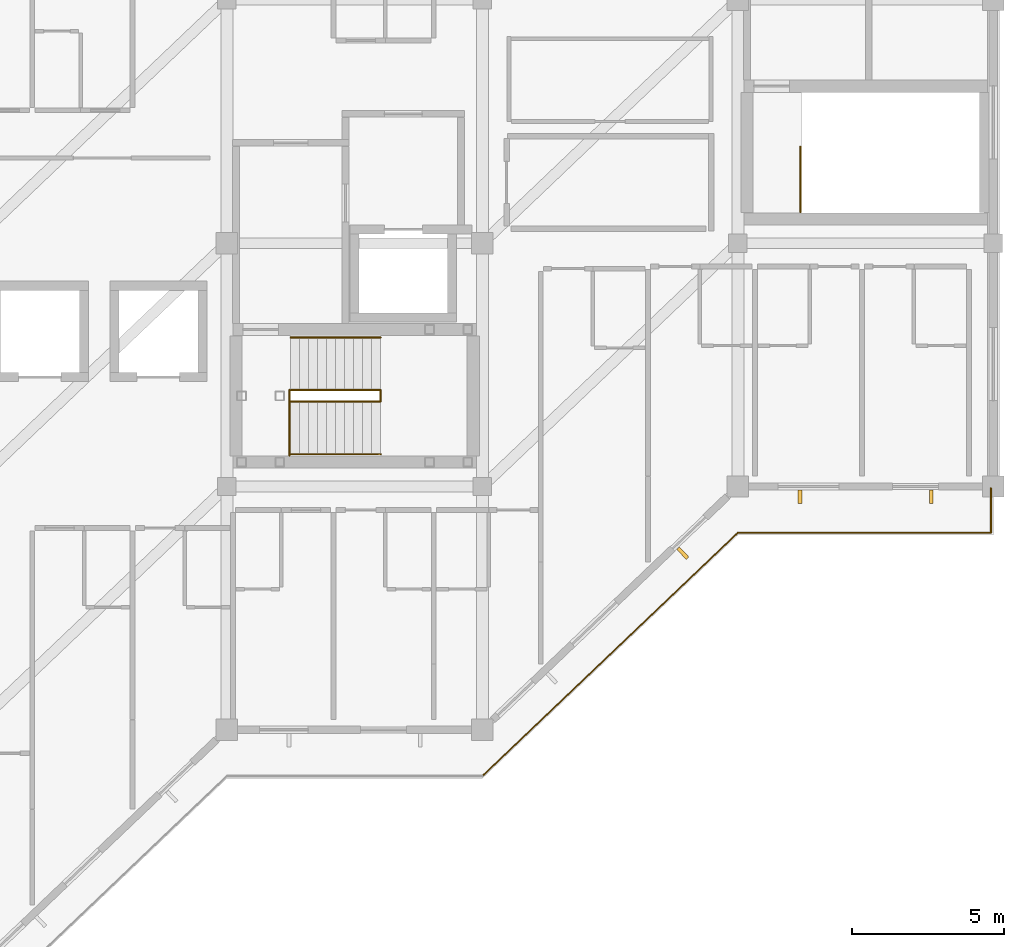
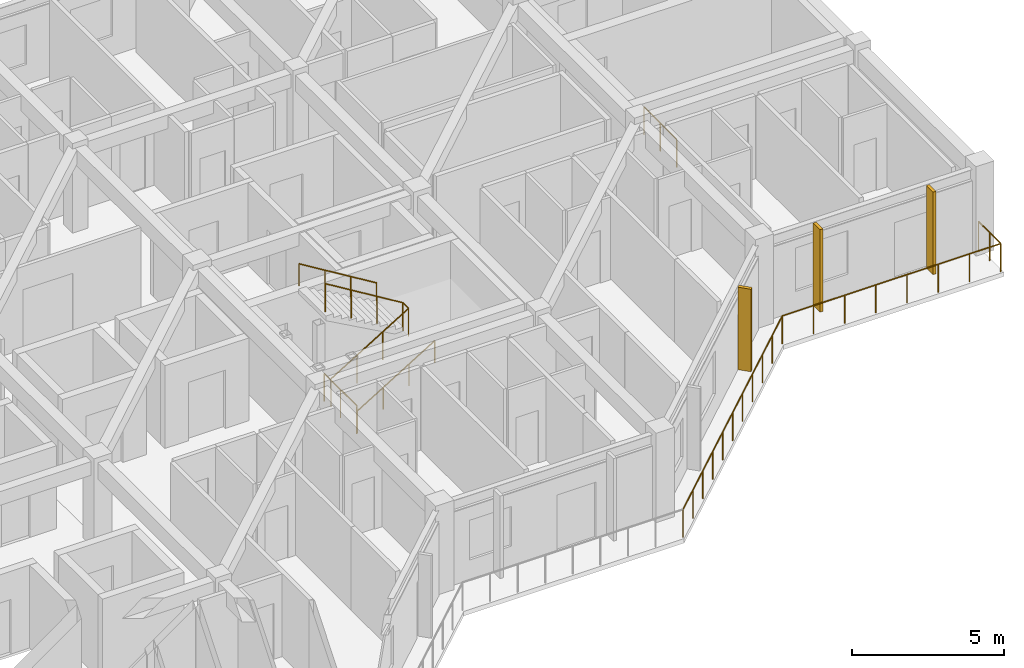
# One storey, part 15 of 15: 10 railings, 3 shading devices.
"""IFC4 building model written with IfcOpenShell, lengths in metres."""

from ifc_helpers import new_model, si_unit, direction, frame, origin, origin_2d, place, context, subcontext, project, spatial, rectangle, circle, extrude, material, layer, layer_set, type_object, element, save


model = new_model("IFC4")

# Units and contexts
model_context = context("Model", 3, precision=1e-05, world=origin(), true_north=direction((0.0, 1.0)))
body_context = subcontext(model_context, "Body", "Model", "MODEL_VIEW")
ifc_project = project(units=[si_unit("LENGTHUNIT", "METRE"), si_unit("AREAUNIT", "SQUARE_METRE"), si_unit("VOLUMEUNIT", "CUBIC_METRE"), si_unit("PLANEANGLEUNIT", "RADIAN"), si_unit("MASSUNIT", "GRAM", prefix="KILO")], contexts=[model_context])

# Site, building, storey
site_placement = place(None, origin())
site = spatial("IfcSite", under=ifc_project, at=site_placement, CompositionType="ELEMENT")
building_placement = place(site_placement, origin())
building = spatial("IfcBuilding", under=site, at=building_placement, Name="Naruveol Harbour Congress Hotel", CompositionType="ELEMENT")
storey_placement = place(building_placement, frame((0.0, 0.0, 32.39990234375)))
storey = spatial("IfcBuildingStorey", under=building, at=storey_placement, Name="L07", CompositionType="ELEMENT", Elevation=32.39990234375)

# Railings
ifc_material_1 = material(Name="Tempered Laminated Safety Glass & Stainless Steel", Category="steel")
ifc_layer_1 = layer(ifc_material_1, 0.06005859375)
ifc_layer_set_1 = layer_set([ifc_layer_1], Name="Tempered Laminated Safety Glass & Stainless Steel")
railing_type_1 = type_object("IfcRailingType", Name="LAMINATED GLASS TERRACE BALUSTRADE 1150", PredefinedType="BALUSTRADE", material=ifc_layer_set_1)
railing_1_placement = place(storey_placement, frame((159.60009765625, 6.47998046875, 0.0)))
element("IfcRailing", 1, at=railing_1_placement, inside=storey, type_object=railing_type_1, Name="L07 Harbour balcony balustrade #106", PredefinedType="BALUSTRADE", context=body_context, shape_type="SweptSolid", body=[
    extrude(circle(Radius=0.02392578125, at=origin_2d()), frame((0.0, 0.0, 1.1259765625), z_axis=(0.724133926887, 0.689659376744, 0.0), x_axis=(-0.689659376744, 0.724133926887, 0.0)), (0.0, 0.0, 1.0), 11.599853515625),
    extrude(circle(Radius=0.02099609375, at=origin_2d()), origin(), (0.0, 0.0, 1.0), 1.101806640625),
    extrude(circle(Radius=0.02099609375, at=origin_2d()), frame((0.840087890625, 0.800048828125, 0.0)), (0.0, 0.0, 1.0), 1.101806640625),
    extrude(circle(Radius=0.02099609375, at=origin_2d()), frame((1.679931640625, 1.60009765625, 0.0)), (0.0, 0.0, 1.0), 1.101806640625),
    extrude(circle(Radius=0.02099609375, at=origin_2d()), frame((2.52001953125, 2.39990234375, 0.0)), (0.0, 0.0, 1.0), 1.101806640625),
    extrude(circle(Radius=0.02099609375, at=origin_2d()), frame((3.35986328125, 3.199951171875, 0.0)), (0.0, 0.0, 1.0), 1.101806640625),
    extrude(circle(Radius=0.02099609375, at=origin_2d()), frame((4.199951171875, 4.0, 0.0)), (0.0, 0.0, 1.0), 1.101806640625),
    extrude(circle(Radius=0.02099609375, at=origin_2d()), frame((5.0400390625, 4.800048828125, 0.0)), (0.0, 0.0, 1.0), 1.101806640625),
    extrude(circle(Radius=0.02099609375, at=origin_2d()), frame((5.8798828125, 5.60009765625, 0.0)), (0.0, 0.0, 1.0), 1.101806640625),
    extrude(circle(Radius=0.02099609375, at=origin_2d()), frame((6.719970703125, 6.39990234375, 0.0)), (0.0, 0.0, 1.0), 1.101806640625),
    extrude(circle(Radius=0.02099609375, at=origin_2d()), frame((7.559814453125, 7.199951171875, 0.0)), (0.0, 0.0, 1.0), 1.101806640625),
    extrude(circle(Radius=0.02099609375, at=origin_2d()), frame((8.39990234375, 8.0, 0.0)), (0.0, 0.0, 1.0), 1.101806640625),
])
railing_2_placement = place(storey_placement, frame((168.0, 14.47998046875, 0.0)))
element("IfcRailing", 2, at=railing_2_placement, inside=storey, type_object=railing_type_1, Name="L07 Harbour balcony balustrade #107", PredefinedType="BALUSTRADE", context=body_context, shape_type="SweptSolid", body=[
    extrude(circle(Radius=0.02392578125, at=origin_2d()), frame((0.0, 0.0, 1.1259765625), z_axis=(1.0, 0.0, 0.0), x_axis=(0.0, 1.0, 0.0)), (0.0, 0.0, 1.0), 8.320068359375),
    extrude(circle(Radius=0.02099609375, at=origin_2d()), origin(), (0.0, 0.0, 1.0), 1.101806640625),
    extrude(circle(Radius=0.02099609375, at=origin_2d()), frame((1.1884765625, 0.0, 0.0)), (0.0, 0.0, 1.0), 1.101806640625),
    extrude(circle(Radius=0.02099609375, at=origin_2d()), frame((2.377197265625, 0.0, 0.0)), (0.0, 0.0, 1.0), 1.101806640625),
    extrude(circle(Radius=0.02099609375, at=origin_2d()), frame((3.565673828125, 0.0, 0.0)), (0.0, 0.0, 1.0), 1.101806640625),
    extrude(circle(Radius=0.02099609375, at=origin_2d()), frame((4.75439453125, 0.0, 0.0)), (0.0, 0.0, 1.0), 1.101806640625),
    extrude(circle(Radius=0.02099609375, at=origin_2d()), frame((5.94287109375, 0.0, 0.0)), (0.0, 0.0, 1.0), 1.101806640625),
    extrude(circle(Radius=0.02099609375, at=origin_2d()), frame((7.131591796875, 0.0, 0.0)), (0.0, 0.0, 1.0), 1.101806640625),
    extrude(circle(Radius=0.02099609375, at=origin_2d()), frame((8.320068359375, 0.0, 0.0)), (0.0, 0.0, 1.0), 1.101806640625),
])
railing_3_placement = place(storey_placement, frame((176.320068359375, 14.47998046875, 0.0)))
element("IfcRailing", 3, at=railing_3_placement, inside=storey, type_object=railing_type_1, Name="L07 Harbour balcony balustrade #108", PredefinedType="BALUSTRADE", context=body_context, shape_type="SweptSolid", body=[
    extrude(circle(Radius=0.02392578125, at=origin_2d()), frame((0.0, 0.0, 1.1259765625), z_axis=(0.0, 1.0, 0.0), x_axis=(-1.0, 0.0, 0.0)), (0.0, 0.0, 1.0), 1.4599609375),
    extrude(circle(Radius=0.02099609375, at=origin_2d()), origin(), (0.0, 0.0, 1.0), 1.101806640625),
    extrude(circle(Radius=0.02099609375, at=origin_2d()), frame((0.0, 0.72998046875, 0.0)), (0.0, 0.0, 1.0), 1.101806640625),
    extrude(circle(Radius=0.02099609375, at=origin_2d()), frame((0.0, 1.4599609375, 0.0)), (0.0, 0.0, 1.0), 1.101806640625),
])

# Shading devices
ifc_material_2 = material(Name="Precast concrete C40/50", Category="concrete")
shading_device_type = type_object("IfcShadingDeviceType", Name="PRECAST VERTICAL BRISE SOLEIL FIN 120X450", PredefinedType="JALOUSIE", material=ifc_material_2)
for number, where, z_axis, x_axis, name in (
    (4, (166.18994140625, 13.806884765625, 0.0), (0.0, 0.0, 1.0), (-0.724171861437, -0.689619543736, 0.0), "Precast brise-soleil fin BS-V450 #72"),
    (5, (174.35595703125, 15.659912109375, 0.0), (0.0, 0.0, 1.0), (-1.0, 0.0, 0.0), "Precast brise-soleil fin BS-V450 #74"),
    (6, (170.0439453125, 15.659912109375, 0.0), (0.0, 0.0, 1.0), (-1.0, 0.0, 0.0), "Precast brise-soleil fin BS-V450 #75"),
):
    element("IfcShadingDevice", number, at=place(storey_placement, frame(where, z_axis=z_axis, x_axis=x_axis)), inside=storey, type_object=shading_device_type, Name=name, PredefinedType="JALOUSIE", context=body_context, shape_type="SweptSolid", body=[
        extrude(rectangle(XDim=0.1201171875, YDim=0.449951171875, at=origin_2d()), origin(), (0.0, 0.0, 1.0), 3.320068359375),
    ])

# Railings
ifc_material_3 = material(Name="Stainless Steel 304", Category="steel")
ifc_layer_2 = layer(ifc_material_3, 0.0419921875)
ifc_layer_set_2 = layer_set([ifc_layer_2], Name="Stainless Steel 304")
railing_type_2 = type_object("IfcRailingType", Name="STAIR WALL MOUNTED HANDRAIL 900", PredefinedType="HANDRAIL", material=ifc_layer_set_2)
railing_4_placement = place(storey_placement, frame((153.300048828125, 17.06005859375, 0.0)))
element("IfcRailing", 7, at=railing_4_placement, inside=storey, type_object=railing_type_2, Name="Stair ST2 L07 lower wall handrail", PredefinedType="HANDRAIL", context=body_context, shape_type="SweptSolid", body=[
    extrude(circle(Radius=0.02392578125, at=origin_2d()), frame((0.0, 0.0, 0.8759765625), z_axis=(0.85362916449, 0.0, 0.520881224016), x_axis=(0.0, 1.0, 0.0)), (0.0, 0.0, 1.0), 3.455810546875),
    extrude(circle(Radius=0.02099609375, at=origin_2d()), origin(), (0.0, 0.0, 1.0), 0.851806640625),
    extrude(circle(Radius=0.02099609375, at=origin_2d()), frame((0.9833984375, 0.0, 0.60009765625)), (0.0, 0.0, 1.0), 0.851806640625),
    extrude(circle(Radius=0.02099609375, at=origin_2d()), frame((1.966552734375, 0.0, 1.199951171875)), (0.0, 0.0, 1.0), 0.851806640625),
    extrude(circle(Radius=0.02099609375, at=origin_2d()), frame((2.949951171875, 0.0, 1.800048828125)), (0.0, 0.0, 1.0), 0.851806640625),
])
railing_5_placement = place(storey_placement, frame((156.25, 20.89990234375, 1.800048828125)))
element("IfcRailing", 8, at=railing_5_placement, inside=storey, type_object=railing_type_2, Name="Stair ST2 L07 upper wall handrail", PredefinedType="HANDRAIL", context=body_context, shape_type="SweptSolid", body=[
    extrude(circle(Radius=0.02392578125, at=origin_2d()), frame((0.0, 0.0, 0.8759765625), z_axis=(-0.85362916449, 0.0, 0.520881224016), x_axis=(0.0, -1.0, 0.0)), (0.0, 0.0, 1.0), 3.455810546875),
    extrude(circle(Radius=0.02099609375, at=origin_2d()), origin(), (0.0, 0.0, 1.0), 0.851806640625),
    extrude(circle(Radius=0.02099609375, at=origin_2d()), frame((-0.9833984375, 0.0, 0.60009765625)), (0.0, 0.0, 1.0), 0.851806640625),
    extrude(circle(Radius=0.02099609375, at=origin_2d()), frame((-1.966552734375, 0.0, 1.199951171875)), (0.0, 0.0, 1.0), 0.851806640625),
    extrude(circle(Radius=0.02099609375, at=origin_2d()), frame((-2.949951171875, 0.0, 1.800048828125)), (0.0, 0.0, 1.0), 0.851806640625),
])
ifc_material_4 = material(Name="Steel SN490", Category="steel")
ifc_layer_3 = layer(ifc_material_4, 0.044921875)
ifc_layer_set_3 = layer_set([ifc_layer_3], Name="Steel SN490")
railing_type_3 = type_object("IfcRailingType", Name="STAIRWELL STEEL GUARDRAIL 1150", PredefinedType="GUARDRAIL", material=ifc_layer_set_3)
railing_6_placement = place(storey_placement, frame((153.300048828125, 18.7900390625, 0.0)))
element("IfcRailing", 9, at=railing_6_placement, inside=storey, type_object=railing_type_3, Name="Stair ST2 L07 lower well guard", PredefinedType="GUARDRAIL", context=body_context, shape_type="SweptSolid", body=[
    extrude(circle(Radius=0.02392578125, at=origin_2d()), frame((0.0, 0.0, 1.1259765625), z_axis=(0.85362916449, 0.0, 0.520881224016), x_axis=(0.0, 1.0, 0.0)), (0.0, 0.0, 1.0), 3.455810546875),
    extrude(circle(Radius=0.02099609375, at=origin_2d()), origin(), (0.0, 0.0, 1.0), 1.101806640625),
    extrude(circle(Radius=0.02099609375, at=origin_2d()), frame((0.9833984375, 0.0, 0.60009765625)), (0.0, 0.0, 1.0), 1.101806640625),
    extrude(circle(Radius=0.02099609375, at=origin_2d()), frame((1.966552734375, 0.0, 1.199951171875)), (0.0, 0.0, 1.0), 1.101806640625),
    extrude(circle(Radius=0.02099609375, at=origin_2d()), frame((2.949951171875, 0.0, 1.800048828125)), (0.0, 0.0, 1.0), 1.101806640625),
])
railing_7_placement = place(storey_placement, frame((156.25, 18.7900390625, 1.800048828125)))
element("IfcRailing", 10, at=railing_7_placement, inside=storey, type_object=railing_type_3, Name="Stair ST2 L07 half-landing slot guard", PredefinedType="GUARDRAIL", context=body_context, shape_type="SweptSolid", body=[
    extrude(circle(Radius=0.02392578125, at=origin_2d()), frame((0.0, 0.0, 1.1259765625), z_axis=(0.0, 1.0, 0.0), x_axis=(-1.0, 0.0, 0.0)), (0.0, 0.0, 1.0), 0.3798828125),
    extrude(circle(Radius=0.02099609375, at=origin_2d()), origin(), (0.0, 0.0, 1.0), 1.101806640625),
    extrude(circle(Radius=0.02099609375, at=origin_2d()), frame((0.0, 0.3798828125, 0.0)), (0.0, 0.0, 1.0), 1.101806640625),
])
railing_8_placement = place(storey_placement, frame((156.25, 19.169921875, 1.800048828125)))
element("IfcRailing", 11, at=railing_8_placement, inside=storey, type_object=railing_type_3, Name="Stair ST2 L07 upper well guard", PredefinedType="GUARDRAIL", context=body_context, shape_type="SweptSolid", body=[
    extrude(circle(Radius=0.02392578125, at=origin_2d()), frame((0.0, 0.0, 1.1259765625), z_axis=(-0.85362916449, 0.0, 0.520881224016), x_axis=(0.0, -1.0, 0.0)), (0.0, 0.0, 1.0), 3.455810546875),
    extrude(circle(Radius=0.02099609375, at=origin_2d()), origin(), (0.0, 0.0, 1.0), 1.101806640625),
    extrude(circle(Radius=0.02099609375, at=origin_2d()), frame((-0.9833984375, 0.0, 0.60009765625)), (0.0, 0.0, 1.0), 1.101806640625),
    extrude(circle(Radius=0.02099609375, at=origin_2d()), frame((-1.966552734375, 0.0, 1.199951171875)), (0.0, 0.0, 1.0), 1.101806640625),
    extrude(circle(Radius=0.02099609375, at=origin_2d()), frame((-2.949951171875, 0.0, 1.800048828125)), (0.0, 0.0, 1.0), 1.101806640625),
])
for number, where, name in (
    (12, (153.260009765625, 17.02001953125, 0.0), "Stair ST2 L07 landing well guard"),
    (13, (170.06005859375, 25.02001953125, 0.0), "Stair ST4 L07 top-floor well guard"),
):
    element("IfcRailing", number, at=place(storey_placement, frame(where)), inside=storey, type_object=railing_type_3, Name=name, PredefinedType="GUARDRAIL", context=body_context, shape_type="SweptSolid", body=[
        extrude(circle(Radius=0.02392578125, at=origin_2d()), frame((0.0, 0.0, 1.1259765625), z_axis=(0.0, 1.0, 0.0), x_axis=(-1.0, 0.0, 0.0)), (0.0, 0.0, 1.0), 2.14990234375),
        extrude(circle(Radius=0.02099609375, at=origin_2d()), origin(), (0.0, 0.0, 1.0), 1.101806640625),
        extrude(circle(Radius=0.02099609375, at=origin_2d()), frame((0.0, 1.074951171875, 0.0)), (0.0, 0.0, 1.0), 1.101806640625),
        extrude(circle(Radius=0.02099609375, at=origin_2d()), frame((0.0, 2.14990234375, 0.0)), (0.0, 0.0, 1.0), 1.101806640625),
    ])

save(model, "model.ifc")
